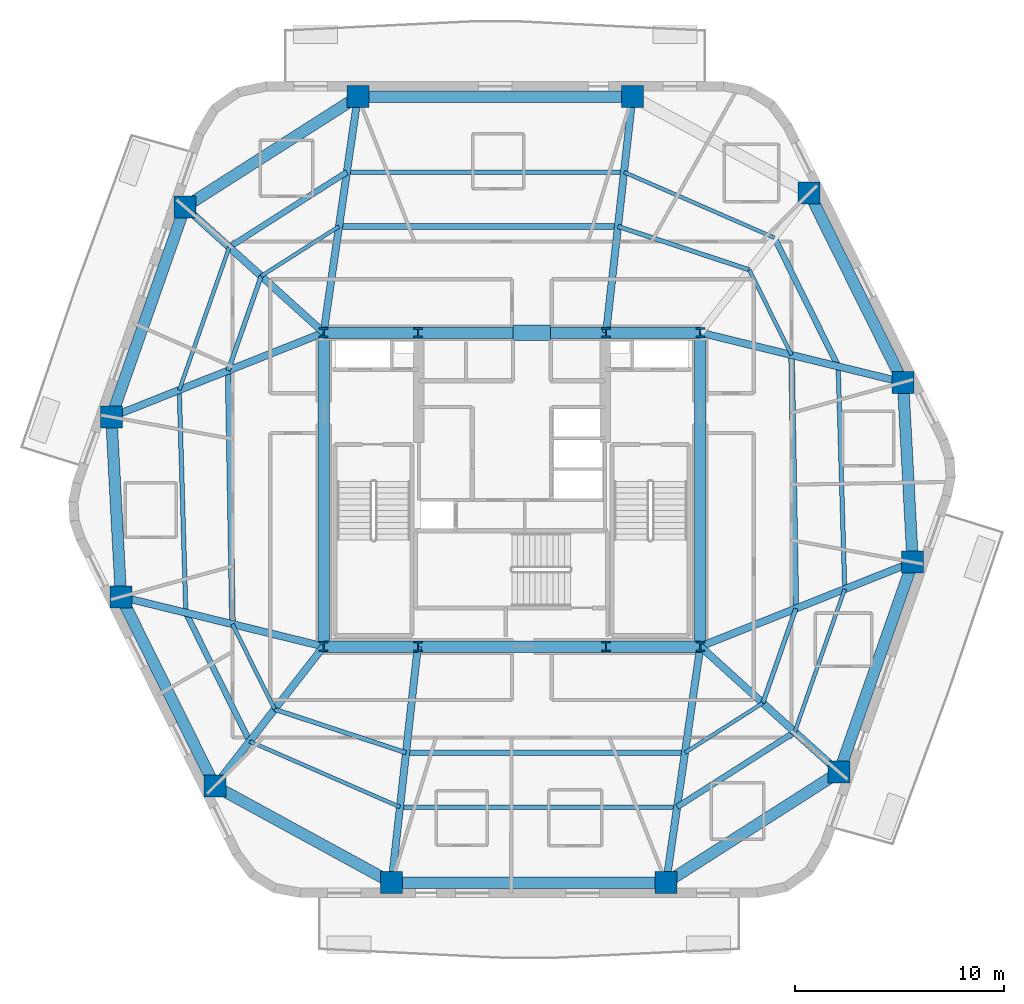
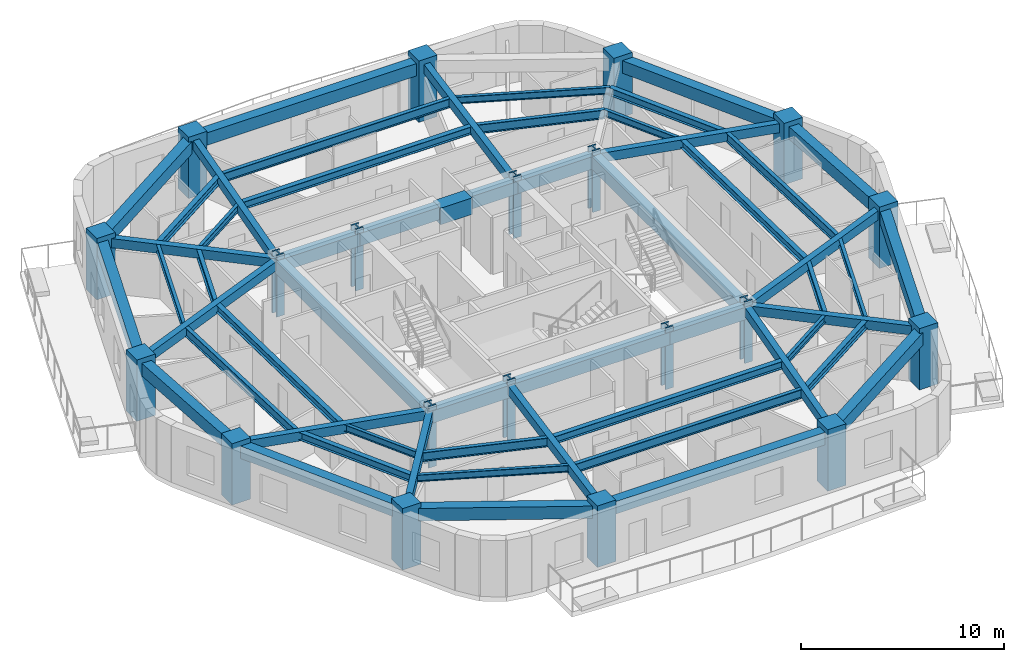
# One storey, part 1 of 11: 55 beams, 20 columns.
"""IFC4 building model written with IfcOpenShell, lengths in metres."""

from ifc_helpers import new_model, si_unit, direction, frame, origin, origin_2d, place, context, subcontext, project, spatial, rectangle, i_section, extrude, material, material_profile, profile_set, type_object, element, save


model = new_model("IFC4")

# Units and contexts
model_context = context("Model", 3, precision=1e-05, world=origin(), true_north=direction((0.0, 1.0)))
body_context = subcontext(model_context, "Body", "Model", "MODEL_VIEW")
ifc_project = project(units=[si_unit("LENGTHUNIT", "METRE"), si_unit("AREAUNIT", "SQUARE_METRE"), si_unit("VOLUMEUNIT", "CUBIC_METRE"), si_unit("PLANEANGLEUNIT", "RADIAN"), si_unit("MASSUNIT", "GRAM", prefix="KILO")], contexts=[model_context])

# Site, building, storey
site_placement = place(None, origin())
site = spatial("IfcSite", under=ifc_project, at=site_placement, CompositionType="ELEMENT")
building_placement = place(site_placement, origin())
building = spatial("IfcBuilding", under=site, at=building_placement, Name="Kilnhurst Terrace Hotel", CompositionType="ELEMENT")
storey_placement = place(building_placement, frame((0.0, 0.0, 194.10009765625)))
storey = spatial("IfcBuildingStorey", under=building, at=storey_placement, Name="L48", CompositionType="ELEMENT", Elevation=194.10009765625)

# Columns
ifc_material_1 = material(Name="Concrete C80/95", Category="concrete")
ifc_material_profile_1 = material_profile(ifc_material_1, rectangle(XDim=1.050048828125, YDim=1.050048828125, at=origin_2d()), Name="RC1050X1050")
ifc_profile_set_1 = profile_set([ifc_material_profile_1], Name="Concrete C80/95")
column_type_1 = type_object("IfcColumnType", Name="COL-RC-1050", PredefinedType="COLUMN", material=ifc_profile_set_1)
for number, where, z_axis, x_axis, name in (
    (1, (-5.7548828125, -18.780029296875, 0.0), (0.0, 0.0, 1.0), (1.0, 0.0, 0.0), "L48 Structural Column PC-F11"),
    (2, (7.368896484375, -18.780029296875, 0.0), (0.0, 0.0, 1.0), (1.0, 0.0, 0.0), "L48 Structural Column PC-F12"),
    (3, (15.633056640625, -13.5048828125, 0.0), (0.0, 0.0, 1.0), (1.0, 0.0, 0.0), "L48 Structural Column PC-F21"),
    (4, (19.14794921875, -3.467041015625, 0.0), (0.0, 0.0, 1.0), (1.0, 0.0, 0.0), "L48 Structural Column PC-F22"),
    (5, (18.68701171875, 5.1240234375, 0.0), (0.0, 0.0, 1.0), (1.0, 0.0, 0.0), "L48 Structural Column PC-F31"),
    (6, (14.2041015625, 14.166015625, 0.0), (0.0, 0.0, 1.0), (1.0, 0.0, 0.0), "L48 Structural Column PC-F32"),
    (7, (5.7548828125, 18.780029296875, 0.0), (0.0, 0.0, 1.0), (1.0, 0.0, 0.0), "L48 Structural Column PC-F41"),
    (8, (-7.368896484375, 18.780029296875, 0.0), (0.0, 0.0, 1.0), (1.0, 0.0, 0.0), "L48 Structural Column PC-F42"),
    (9, (-15.633056640625, 13.5048828125, 0.0), (0.0, 0.0, 1.0), (1.0, 0.0, 0.0), "L48 Structural Column PC-F51"),
    (10, (-19.14794921875, 3.467041015625, 0.0), (0.0, 0.0, 1.0), (1.0, 0.0, 0.0), "L48 Structural Column PC-F52"),
    (11, (-18.68701171875, -5.1240234375, 0.0), (0.0, 0.0, 1.0), (1.0, 0.0, 0.0), "L48 Structural Column PC-F61"),
    (12, (-14.2041015625, -14.166015625, 0.0), (0.0, 0.0, 1.0), (1.0, 0.0, 0.0), "L48 Structural Column PC-F62"),
):
    element("IfcColumn", number, at=place(storey_placement, frame(where, z_axis=z_axis, x_axis=x_axis)), inside=storey, type_object=column_type_1, Name=name, PredefinedType="COLUMN", context=body_context, shape_type="SweptSolid", body=[
        extrude(rectangle(XDim=1.050048828125, YDim=1.050048828125, at=origin_2d()), origin(), (0.0, 0.0, 1.0), 3.699951171875),
    ])
ifc_material_2 = material(Name="Steel ASTM A992 Grade 50", Category="steel")
ifc_material_profile_2 = material_profile(ifc_material_2, i_section(OverallWidth=0.43212890625, OverallDepth=0.497802734375, WebThickness=0.0556640625, FlangeThickness=0.0888671875, at=origin_2d()), Name="W14X500")
ifc_profile_set_2 = profile_set([ifc_material_profile_2], Name="Steel ASTM A992 Grade 50")
column_type_2 = type_object("IfcColumnType", Name="COL-STL-W14X500", PredefinedType="COLUMN", material=ifc_profile_set_2)
for number, where, z_axis, x_axis, name in (
    (13, (-9.0, -7.5, 0.0), (0.0, 0.0, 1.0), (1.0, 0.0, 0.0), "L48 Structural Column CC-SW"),
    (14, (-4.5, -7.5, 0.0), (0.0, 0.0, 1.0), (1.0, 0.0, 0.0), "L48 Structural Column CC-SC1"),
    (15, (4.5, -7.5, 0.0), (0.0, 0.0, 1.0), (1.0, 0.0, 0.0), "L48 Structural Column CC-SC2"),
    (16, (9.0, -7.5, 0.0), (0.0, 0.0, 1.0), (1.0, 0.0, 0.0), "L48 Structural Column CC-SE"),
    (17, (9.0, 7.5, 0.0), (0.0, 0.0, 1.0), (1.0, 0.0, 0.0), "L48 Structural Column CC-NE"),
    (18, (4.5, 7.5, 0.0), (0.0, 0.0, 1.0), (1.0, 0.0, 0.0), "L48 Structural Column CC-NC2"),
    (19, (-4.5, 7.5, 0.0), (0.0, 0.0, 1.0), (1.0, 0.0, 0.0), "L48 Structural Column CC-NC1"),
    (20, (-9.0, 7.5, 0.0), (0.0, 0.0, 1.0), (1.0, 0.0, 0.0), "L48 Structural Column CC-NW"),
):
    element("IfcColumn", number, at=place(storey_placement, frame(where, z_axis=z_axis, x_axis=x_axis)), inside=storey, type_object=column_type_2, Name=name, PredefinedType="COLUMN", context=body_context, shape_type="SweptSolid", body=[
        extrude(i_section(OverallWidth=0.43212890625, OverallDepth=0.497802734375, WebThickness=0.0556640625, FlangeThickness=0.0888671875, at=origin_2d()), origin(), (0.0, 0.0, 1.0), 3.699951171875),
    ])

# Beams
ifc_material_3 = material(Name="Concrete C50/60", Category="concrete")
ifc_material_profile_3 = material_profile(ifc_material_3, rectangle(XDim=0.35009765625, YDim=0.550048828125, at=origin_2d()), Name="RC350X550")
ifc_profile_set_3 = profile_set([ifc_material_profile_3], Name="Concrete C50/60")
beam_type_1 = type_object("IfcBeamType", Name="BM-RAD-350X550", PredefinedType="BEAM", material=ifc_profile_set_3)
beam_1_placement = place(storey_placement, frame((-4.5, -7.5, 3.125), z_axis=(-0.110566099441, -0.993868772854, 0.0), x_axis=(0.993868772854, -0.110566099441, 0.0)))
element("IfcBeam", 21, at=beam_1_placement, inside=storey, type_object=beam_type_1, Name="L48 Radial Floor Beam 1", PredefinedType="BEAM", context=body_context, shape_type="SweptSolid", body=[
    extrude(rectangle(XDim=0.35009765625, YDim=0.550048828125, at=origin_2d()), origin(), (0.0, 0.0, 1.0), 11.349609375),
])
beam_2_placement = place(storey_placement, frame((9.0, -7.5, 3.125), z_axis=(-0.143112538238, -0.989706421824, 0.0), x_axis=(0.989706421824, -0.143112538238, 0.0)))
element("IfcBeam", 22, at=beam_2_placement, inside=storey, type_object=beam_type_1, Name="L48 Radial Floor Beam 2", PredefinedType="BEAM", context=body_context, shape_type="SweptSolid", body=[
    extrude(rectangle(XDim=0.35009765625, YDim=0.550048828125, at=origin_2d()), origin(), (0.0, 0.0, 1.0), 11.3974609375),
])
beam_3_placement = place(storey_placement, frame((9.0, -7.5, 3.125), z_axis=(0.741338585645, -0.671131210296, 0.0), x_axis=(0.671131210296, 0.741338585645, 0.0)))
element("IfcBeam", 23, at=beam_3_placement, inside=storey, type_object=beam_type_1, Name="L48 Radial Floor Beam 3", PredefinedType="BEAM", context=body_context, shape_type="SweptSolid", body=[
    extrude(rectangle(XDim=0.35009765625, YDim=0.550048828125, at=origin_2d()), origin(), (0.0, 0.0, 1.0), 8.947509765625),
])
beam_4_placement = place(storey_placement, frame((9.0, -7.5, 3.125), z_axis=(0.929302373458, 0.369319778356, 0.0), x_axis=(-0.369319778356, 0.929302373458, 0.0)))
element("IfcBeam", 24, at=beam_4_placement, inside=storey, type_object=beam_type_1, Name="L48 Radial Floor Beam 4", PredefinedType="BEAM", context=body_context, shape_type="SweptSolid", body=[
    extrude(rectangle(XDim=0.35009765625, YDim=0.550048828125, at=origin_2d()), origin(), (0.0, 0.0, 1.0), 10.919921875),
])
beam_5_placement = place(storey_placement, frame((9.0, 7.5, 3.125), z_axis=(0.971212767405, -0.238213686486, 0.0), x_axis=(0.238213686486, 0.971212767405, 0.0)))
element("IfcBeam", 25, at=beam_5_placement, inside=storey, type_object=beam_type_1, Name="L48 Radial Floor Beam 5", PredefinedType="BEAM", context=body_context, shape_type="SweptSolid", body=[
    extrude(rectangle(XDim=0.35009765625, YDim=0.550048828125, at=origin_2d()), origin(), (0.0, 0.0, 1.0), 9.97412109375),
])
beam_6_placement = place(storey_placement, frame((4.5, 7.5, 3.125), z_axis=(0.110566099441, 0.993868772854, 0.0), x_axis=(-0.993868772854, 0.110566099441, 0.0)))
element("IfcBeam", 26, at=beam_6_placement, inside=storey, type_object=beam_type_1, Name="L48 Radial Floor Beam 7", PredefinedType="BEAM", context=body_context, shape_type="SweptSolid", body=[
    extrude(rectangle(XDim=0.35009765625, YDim=0.550048828125, at=origin_2d()), origin(), (0.0, 0.0, 1.0), 11.349609375),
])
beam_7_placement = place(storey_placement, frame((-9.0, 7.5, 3.125), z_axis=(0.143112538238, 0.989706421824, 0.0), x_axis=(-0.989706421824, 0.143112538238, 0.0)))
element("IfcBeam", 27, at=beam_7_placement, inside=storey, type_object=beam_type_1, Name="L48 Radial Floor Beam 8", PredefinedType="BEAM", context=body_context, shape_type="SweptSolid", body=[
    extrude(rectangle(XDim=0.35009765625, YDim=0.550048828125, at=origin_2d()), origin(), (0.0, 0.0, 1.0), 11.3974609375),
])
beam_8_placement = place(storey_placement, frame((-9.0, 7.5, 3.125), z_axis=(-0.741338585645, 0.671131210296, 0.0), x_axis=(-0.671131210296, -0.741338585645, 0.0)))
element("IfcBeam", 28, at=beam_8_placement, inside=storey, type_object=beam_type_1, Name="L48 Radial Floor Beam 9", PredefinedType="BEAM", context=body_context, shape_type="SweptSolid", body=[
    extrude(rectangle(XDim=0.35009765625, YDim=0.550048828125, at=origin_2d()), origin(), (0.0, 0.0, 1.0), 8.947509765625),
])
beam_9_placement = place(storey_placement, frame((-9.0, 7.5, 3.125), z_axis=(-0.929302373458, -0.369319778356, 0.0), x_axis=(0.369319778356, -0.929302373458, 0.0)))
element("IfcBeam", 29, at=beam_9_placement, inside=storey, type_object=beam_type_1, Name="L48 Radial Floor Beam 10", PredefinedType="BEAM", context=body_context, shape_type="SweptSolid", body=[
    extrude(rectangle(XDim=0.35009765625, YDim=0.550048828125, at=origin_2d()), origin(), (0.0, 0.0, 1.0), 10.919921875),
])
beam_10_placement = place(storey_placement, frame((-9.0, -7.5, 3.125), z_axis=(-0.971212767405, 0.238213686486, 0.0), x_axis=(-0.238213686486, -0.971212767405, 0.0)))
element("IfcBeam", 30, at=beam_10_placement, inside=storey, type_object=beam_type_1, Name="L48 Radial Floor Beam 11", PredefinedType="BEAM", context=body_context, shape_type="SweptSolid", body=[
    extrude(rectangle(XDim=0.35009765625, YDim=0.550048828125, at=origin_2d()), origin(), (0.0, 0.0, 1.0), 9.97412109375),
])
beam_11_placement = place(storey_placement, frame((-9.0, -7.5, 3.125), z_axis=(-0.615370616457, -0.78823791104, 0.0), x_axis=(0.78823791104, -0.615370616457, 0.0)))
element("IfcBeam", 31, at=beam_11_placement, inside=storey, type_object=beam_type_1, Name="L48 Radial Floor Beam 12", PredefinedType="BEAM", context=body_context, shape_type="SweptSolid", body=[
    extrude(rectangle(XDim=0.35009765625, YDim=0.550048828125, at=origin_2d()), origin(), (0.0, 0.0, 1.0), 8.456787109375),
])
ifc_material_profile_4 = material_profile(ifc_material_3, rectangle(XDim=0.550048828125, YDim=0.75, at=origin_2d()), Name="RC550X750")
ifc_profile_set_4 = profile_set([ifc_material_profile_4], Name="Concrete C50/60")
beam_type_2 = type_object("IfcBeamType", Name="BM-SPN-550X750", PredefinedType="SPANDREL", material=ifc_profile_set_4)
beam_12_placement = place(storey_placement, frame((-9.0, 7.5, 3.02490234375), z_axis=(1.0, 0.0, 0.0), x_axis=(0.0, 1.0, 0.0)))
element("IfcBeam", 32, at=beam_12_placement, inside=storey, type_object=beam_type_2, Name="L48 Core Tie Beam CC-NW to CC-NC1", PredefinedType="SPANDREL", context=body_context, shape_type="SweptSolid", body=[
    extrude(rectangle(XDim=0.550048828125, YDim=0.75, at=origin_2d()), origin(), (0.0, 0.0, 1.0), 4.5),
])
beam_13_placement = place(storey_placement, frame((-4.5, 7.5, 3.02490234375), z_axis=(1.0, 0.0, 0.0), x_axis=(0.0, 1.0, 0.0)))
element("IfcBeam", 33, at=beam_13_placement, inside=storey, type_object=beam_type_2, Name="L48 Core Tie Beam CC-NC1 to CC-NC2", PredefinedType="SPANDREL", context=body_context, shape_type="SweptSolid", body=[
    extrude(rectangle(XDim=0.550048828125, YDim=0.75, at=origin_2d()), origin(), (0.0, 0.0, 1.0), 9.0),
])
for number, where, z_axis, x_axis, name in (
    (34, (4.5, 7.5, 3.02490234375), (1.0, 0.0, 0.0), (0.0, 1.0, 0.0), "L48 Core Tie Beam CC-NC2 to CC-NE"),
    (35, (-9.0, -7.5, 3.02490234375), (1.0, 0.0, 0.0), (0.0, 1.0, 0.0), "L48 Core Tie Beam CC-SW to CC-SC1"),
):
    element("IfcBeam", number, at=place(storey_placement, frame(where, z_axis=z_axis, x_axis=x_axis)), inside=storey, type_object=beam_type_2, Name=name, PredefinedType="SPANDREL", context=body_context, shape_type="SweptSolid", body=[
        extrude(rectangle(XDim=0.550048828125, YDim=0.75, at=origin_2d()), origin(), (0.0, 0.0, 1.0), 4.5),
    ])
beam_14_placement = place(storey_placement, frame((-4.5, -7.5, 3.02490234375), z_axis=(1.0, 0.0, 0.0), x_axis=(0.0, 1.0, 0.0)))
element("IfcBeam", 36, at=beam_14_placement, inside=storey, type_object=beam_type_2, Name="L48 Core Tie Beam CC-SC1 to CC-SC2", PredefinedType="SPANDREL", context=body_context, shape_type="SweptSolid", body=[
    extrude(rectangle(XDim=0.550048828125, YDim=0.75, at=origin_2d()), origin(), (0.0, 0.0, 1.0), 9.0),
])
beam_15_placement = place(storey_placement, frame((4.5, -7.5, 3.02490234375), z_axis=(1.0, 0.0, 0.0), x_axis=(0.0, 1.0, 0.0)))
element("IfcBeam", 37, at=beam_15_placement, inside=storey, type_object=beam_type_2, Name="L48 Core Tie Beam CC-SC2 to CC-SE", PredefinedType="SPANDREL", context=body_context, shape_type="SweptSolid", body=[
    extrude(rectangle(XDim=0.550048828125, YDim=0.75, at=origin_2d()), origin(), (0.0, 0.0, 1.0), 4.5),
])
for number, where, z_axis, x_axis, name in (
    (38, (-9.0, -7.5, 3.02490234375), (0.0, 1.0, 0.0), (-1.0, 0.0, 0.0), "L48 Core Tie Beam CC-SW to CC-NW"),
    (39, (9.0, -7.5, 3.02490234375), (0.0, 1.0, 0.0), (-1.0, 0.0, 0.0), "L48 Core Tie Beam CC-SE to CC-NE"),
):
    element("IfcBeam", number, at=place(storey_placement, frame(where, z_axis=z_axis, x_axis=x_axis)), inside=storey, type_object=beam_type_2, Name=name, PredefinedType="SPANDREL", context=body_context, shape_type="SweptSolid", body=[
        extrude(rectangle(XDim=0.550048828125, YDim=0.75, at=origin_2d()), origin(), (0.0, 0.0, 1.0), 15.0),
    ])
beam_16_placement = place(storey_placement, frame((-5.7548828125, -18.780029296875, 3.02490234375), z_axis=(1.0, 0.0, 0.0), x_axis=(0.0, 1.0, 0.0)))
element("IfcBeam", 40, at=beam_16_placement, inside=storey, type_object=beam_type_2, Name="L48 Perimeter Spandrel Beam 1", PredefinedType="SPANDREL", context=body_context, shape_type="SweptSolid", body=[
    extrude(rectangle(XDim=0.550048828125, YDim=0.75, at=origin_2d()), origin(), (0.0, 0.0, 1.0), 13.123779296875),
])
beam_17_placement = place(storey_placement, frame((7.368896484375, -18.780029296875, 3.02490234375), z_axis=(0.842915241256, 0.538046369803, 0.0), x_axis=(-0.538046369803, 0.842915241256, 0.0)))
element("IfcBeam", 41, at=beam_17_placement, inside=storey, type_object=beam_type_2, Name="L48 Perimeter Spandrel Beam 2", PredefinedType="SPANDREL", context=body_context, shape_type="SweptSolid", body=[
    extrude(rectangle(XDim=0.550048828125, YDim=0.75, at=origin_2d()), origin(), (0.0, 0.0, 1.0), 9.80419921875),
])
beam_18_placement = place(storey_placement, frame((15.633056640625, -13.5048828125, 3.02490234375), z_axis=(0.330488460168, 0.943810032632, 0.0), x_axis=(-0.943810032632, 0.330488460168, 0.0)))
element("IfcBeam", 42, at=beam_18_placement, inside=storey, type_object=beam_type_2, Name="L48 Perimeter Spandrel Beam 3", PredefinedType="SPANDREL", context=body_context, shape_type="SweptSolid", body=[
    extrude(rectangle(XDim=0.550048828125, YDim=0.75, at=origin_2d()), origin(), (0.0, 0.0, 1.0), 10.635498046875),
])
beam_19_placement = place(storey_placement, frame((19.14794921875, -3.467041015625, 3.02490234375), z_axis=(-0.053576072051, 0.998563770875, 0.0), x_axis=(-0.998563770875, -0.053576072051, 0.0)))
element("IfcBeam", 43, at=beam_19_placement, inside=storey, type_object=beam_type_2, Name="L48 Perimeter Spandrel Beam 4", PredefinedType="SPANDREL", context=body_context, shape_type="SweptSolid", body=[
    extrude(rectangle(XDim=0.550048828125, YDim=0.75, at=origin_2d()), origin(), (0.0, 0.0, 1.0), 8.603515625),
])
beam_20_placement = place(storey_placement, frame((18.68701171875, 5.1240234375, 3.02490234375), z_axis=(-0.444192032261, 0.895931603682, 0.0), x_axis=(-0.895931603682, -0.444192032261, 0.0)))
element("IfcBeam", 44, at=beam_20_placement, inside=storey, type_object=beam_type_2, Name="L48 Perimeter Spandrel Beam 5", PredefinedType="SPANDREL", context=body_context, shape_type="SweptSolid", body=[
    extrude(rectangle(XDim=0.550048828125, YDim=0.75, at=origin_2d()), origin(), (0.0, 0.0, 1.0), 10.09228515625),
])
beam_21_placement = place(storey_placement, frame((5.7548828125, 18.780029296875, 3.02490234375), z_axis=(-1.0, 0.0, 0.0), x_axis=(0.0, -1.0, 0.0)))
element("IfcBeam", 45, at=beam_21_placement, inside=storey, type_object=beam_type_2, Name="L48 Perimeter Spandrel Beam 7", PredefinedType="SPANDREL", context=body_context, shape_type="SweptSolid", body=[
    extrude(rectangle(XDim=0.550048828125, YDim=0.75, at=origin_2d()), origin(), (0.0, 0.0, 1.0), 13.123779296875),
])
beam_22_placement = place(storey_placement, frame((-7.368896484375, 18.780029296875, 3.02490234375), z_axis=(-0.842915241256, -0.538046369803, 0.0), x_axis=(0.538046369803, -0.842915241256, 0.0)))
element("IfcBeam", 46, at=beam_22_placement, inside=storey, type_object=beam_type_2, Name="L48 Perimeter Spandrel Beam 8", PredefinedType="SPANDREL", context=body_context, shape_type="SweptSolid", body=[
    extrude(rectangle(XDim=0.550048828125, YDim=0.75, at=origin_2d()), origin(), (0.0, 0.0, 1.0), 9.80419921875),
])
beam_23_placement = place(storey_placement, frame((-15.633056640625, 13.5048828125, 3.02490234375), z_axis=(-0.330488460168, -0.943810032632, 0.0), x_axis=(0.943810032632, -0.330488460168, 0.0)))
element("IfcBeam", 47, at=beam_23_placement, inside=storey, type_object=beam_type_2, Name="L48 Perimeter Spandrel Beam 9", PredefinedType="SPANDREL", context=body_context, shape_type="SweptSolid", body=[
    extrude(rectangle(XDim=0.550048828125, YDim=0.75, at=origin_2d()), origin(), (0.0, 0.0, 1.0), 10.635498046875),
])
beam_24_placement = place(storey_placement, frame((-19.14794921875, 3.467041015625, 3.02490234375), z_axis=(0.053576072051, -0.998563770875, 0.0), x_axis=(0.998563770875, 0.053576072051, 0.0)))
element("IfcBeam", 48, at=beam_24_placement, inside=storey, type_object=beam_type_2, Name="L48 Perimeter Spandrel Beam 10", PredefinedType="SPANDREL", context=body_context, shape_type="SweptSolid", body=[
    extrude(rectangle(XDim=0.550048828125, YDim=0.75, at=origin_2d()), origin(), (0.0, 0.0, 1.0), 8.603515625),
])
beam_25_placement = place(storey_placement, frame((-18.68701171875, -5.1240234375, 3.02490234375), z_axis=(0.444192032261, -0.895931603682, 0.0), x_axis=(0.895931603682, 0.444192032261, 0.0)))
element("IfcBeam", 49, at=beam_25_placement, inside=storey, type_object=beam_type_2, Name="L48 Perimeter Spandrel Beam 11", PredefinedType="SPANDREL", context=body_context, shape_type="SweptSolid", body=[
    extrude(rectangle(XDim=0.550048828125, YDim=0.75, at=origin_2d()), origin(), (0.0, 0.0, 1.0), 10.09228515625),
])
beam_26_placement = place(storey_placement, frame((-14.2041015625, -14.166015625, 3.02490234375), z_axis=(0.87766189723, -0.479280287672, 0.0), x_axis=(0.479280287672, 0.87766189723, 0.0)))
element("IfcBeam", 50, at=beam_26_placement, inside=storey, type_object=beam_type_2, Name="L48 Perimeter Spandrel Beam 12", PredefinedType="SPANDREL", context=body_context, shape_type="SweptSolid", body=[
    extrude(rectangle(XDim=0.550048828125, YDim=0.75, at=origin_2d()), origin(), (0.0, 0.0, 1.0), 9.626953125),
])
ifc_material_profile_5 = material_profile(ifc_material_2, i_section(OverallWidth=0.180908203125, OverallDepth=0.417236328125, WebThickness=0.010986328125, FlangeThickness=0.018310546875, at=origin_2d()), Name="W16X57")
ifc_profile_set_5 = profile_set([ifc_material_profile_5], Name="Steel ASTM A992 Grade 50")
beam_type_3 = type_object("IfcBeamType", Name="JST-STL-W16X57", PredefinedType="JOIST", material=ifc_profile_set_5)
beam_27_placement = place(storey_placement, frame((13.510498046875, -11.58349609375, 3.19091796875), z_axis=(0.330481239411, 0.943812561051, 0.0), x_axis=(-0.943812561051, 0.330481239411, 0.0)))
element("IfcBeam", 51, at=beam_27_placement, inside=storey, type_object=beam_type_3, Name="L48 Secondary Floor Steel Joist OUT.3", PredefinedType="JOIST", context=body_context, shape_type="SweptSolid", body=[
    extrude(i_section(OverallWidth=0.180908203125, OverallDepth=0.417236328125, WebThickness=0.010986328125, FlangeThickness=0.018310546875, at=origin_2d()), origin(), (0.0, 0.0, 1.0), 7.232177734375),
])
beam_28_placement = place(storey_placement, frame((12.538818359375, 12.032958984375, 3.19091796875), z_axis=(-0.916443679054, 0.400163695407, 0.0), x_axis=(-0.400163695407, -0.916443679054, 0.0)))
element("IfcBeam", 52, at=beam_28_placement, inside=storey, type_object=beam_type_3, Name="L48 Secondary Floor Steel Joist OUT.6", PredefinedType="JOIST", context=body_context, shape_type="SweptSolid", body=[
    extrude(i_section(OverallWidth=0.180908203125, OverallDepth=0.417236328125, WebThickness=0.010986328125, FlangeThickness=0.018310546875, at=origin_2d()), origin(), (0.0, 0.0, 1.0), 7.84033203125),
])
beam_29_placement = place(storey_placement, frame((-13.510498046875, 11.58349609375, 3.19091796875), z_axis=(-0.330481239411, -0.943812561051, 0.0), x_axis=(0.943812561051, -0.330481239411, 0.0)))
element("IfcBeam", 53, at=beam_29_placement, inside=storey, type_object=beam_type_3, Name="L48 Secondary Floor Steel Joist OUT.9", PredefinedType="JOIST", context=body_context, shape_type="SweptSolid", body=[
    extrude(i_section(OverallWidth=0.180908203125, OverallDepth=0.417236328125, WebThickness=0.010986328125, FlangeThickness=0.018310546875, at=origin_2d()), origin(), (0.0, 0.0, 1.0), 7.232177734375),
])
beam_30_placement = place(storey_placement, frame((-12.538818359375, -12.032958984375, 3.19091796875), z_axis=(0.916443679054, -0.400163695407, 0.0), x_axis=(0.400163695407, 0.916443679054, 0.0)))
element("IfcBeam", 54, at=beam_30_placement, inside=storey, type_object=beam_type_3, Name="L48 Secondary Floor Steel Joist OUT.12", PredefinedType="JOIST", context=body_context, shape_type="SweptSolid", body=[
    extrude(i_section(OverallWidth=0.180908203125, OverallDepth=0.417236328125, WebThickness=0.010986328125, FlangeThickness=0.018310546875, at=origin_2d()), origin(), (0.0, 0.0, 1.0), 7.84033203125),
])
beam_31_placement = place(storey_placement, frame((8.26611328125, -12.575927734375, 3.19091796875), z_axis=(0.842910995806, 0.53805302076, 0.0), x_axis=(-0.53805302076, 0.842910995806, 0.0)))
element("IfcBeam", 55, at=beam_31_placement, inside=storey, type_object=beam_type_3, Name="L48 Secondary Floor Steel Joist IN.2", PredefinedType="JOIST", context=body_context, shape_type="SweptSolid", body=[
    extrude(i_section(OverallWidth=0.180908203125, OverallDepth=0.417236328125, WebThickness=0.010986328125, FlangeThickness=0.018310546875, at=origin_2d()), origin(), (0.0, 0.0, 1.0), 4.411865234375),
])
beam_32_placement = place(storey_placement, frame((13.359130859375, 6.430908203125, 3.19091796875), z_axis=(-0.444200626094, 0.895927342912, 0.0), x_axis=(-0.895927342912, -0.444200626094, 0.0)))
element("IfcBeam", 56, at=beam_32_placement, inside=storey, type_object=beam_type_3, Name="L48 Secondary Floor Steel Joist IN.5", PredefinedType="JOIST", context=body_context, shape_type="SweptSolid", body=[
    extrude(i_section(OverallWidth=0.180908203125, OverallDepth=0.417236328125, WebThickness=0.010986328125, FlangeThickness=0.018310546875, at=origin_2d()), origin(), (0.0, 0.0, 1.0), 4.54150390625),
])
beam_33_placement = place(storey_placement, frame((-8.26611328125, 12.575927734375, 3.19091796875), z_axis=(-0.842910995806, -0.53805302076, 0.0), x_axis=(0.53805302076, -0.842910995806, 0.0)))
element("IfcBeam", 57, at=beam_33_placement, inside=storey, type_object=beam_type_3, Name="L48 Secondary Floor Steel Joist IN.8", PredefinedType="JOIST", context=body_context, shape_type="SweptSolid", body=[
    extrude(i_section(OverallWidth=0.180908203125, OverallDepth=0.417236328125, WebThickness=0.010986328125, FlangeThickness=0.018310546875, at=origin_2d()), origin(), (0.0, 0.0, 1.0), 4.411865234375),
])
beam_34_placement = place(storey_placement, frame((-13.359130859375, -6.430908203125, 3.19091796875), z_axis=(0.444200626094, -0.895927342912, 0.0), x_axis=(0.895927342912, 0.444200626094, 0.0)))
element("IfcBeam", 58, at=beam_34_placement, inside=storey, type_object=beam_type_3, Name="L48 Secondary Floor Steel Joist IN.11", PredefinedType="JOIST", context=body_context, shape_type="SweptSolid", body=[
    extrude(i_section(OverallWidth=0.180908203125, OverallDepth=0.417236328125, WebThickness=0.010986328125, FlangeThickness=0.018310546875, at=origin_2d()), origin(), (0.0, 0.0, 1.0), 4.54150390625),
])
ifc_material_profile_6 = material_profile(ifc_material_2, i_section(OverallWidth=0.279296875, OverallDepth=0.462890625, WebThickness=0.0107421875, FlangeThickness=0.017333984375, at=origin_2d()), Name="W18X76")
ifc_profile_set_6 = profile_set([ifc_material_profile_6], Name="Steel ASTM A992 Grade 50")
beam_type_4 = type_object("IfcBeamType", Name="JST-STL-W18X76", PredefinedType="JOIST", material=ifc_profile_set_6)
beam_35_placement = place(storey_placement, frame((7.890869140625, -15.17041015625, 3.16796875), z_axis=(0.842927863369, 0.538026595213, 0.0), x_axis=(-0.538026595213, 0.842927863369, 0.0)))
element("IfcBeam", 59, at=beam_35_placement, inside=storey, type_object=beam_type_4, Name="L48 Secondary Floor Steel Joist OUT.2", PredefinedType="JOIST", context=body_context, shape_type="SweptSolid", body=[
    extrude(i_section(OverallWidth=0.279296875, OverallDepth=0.462890625, WebThickness=0.0107421875, FlangeThickness=0.017333984375, at=origin_2d()), origin(), (0.0, 0.0, 1.0), 6.666748046875),
])
beam_36_placement = place(storey_placement, frame((15.587158203125, 5.88427734375, 3.16796875), z_axis=(-0.444180101574, 0.895937518673, 0.0), x_axis=(-0.895937518673, -0.444180101574, 0.0)))
element("IfcBeam", 60, at=beam_36_placement, inside=storey, type_object=beam_type_4, Name="L48 Secondary Floor Steel Joist OUT.5", PredefinedType="JOIST", context=body_context, shape_type="SweptSolid", body=[
    extrude(i_section(OverallWidth=0.279296875, OverallDepth=0.462890625, WebThickness=0.0107421875, FlangeThickness=0.017333984375, at=origin_2d()), origin(), (0.0, 0.0, 1.0), 6.86279296875),
])
beam_37_placement = place(storey_placement, frame((-7.890869140625, 15.17041015625, 3.16796875), z_axis=(-0.842927863369, -0.538026595213, 0.0), x_axis=(0.538026595213, -0.842927863369, 0.0)))
element("IfcBeam", 61, at=beam_37_placement, inside=storey, type_object=beam_type_4, Name="L48 Secondary Floor Steel Joist OUT.8", PredefinedType="JOIST", context=body_context, shape_type="SweptSolid", body=[
    extrude(i_section(OverallWidth=0.279296875, OverallDepth=0.462890625, WebThickness=0.0107421875, FlangeThickness=0.017333984375, at=origin_2d()), origin(), (0.0, 0.0, 1.0), 6.666748046875),
])
beam_38_placement = place(storey_placement, frame((-15.587158203125, -5.88427734375, 3.16796875), z_axis=(0.444180101574, -0.895937518673, 0.0), x_axis=(0.895937518673, 0.444180101574, 0.0)))
element("IfcBeam", 62, at=beam_38_placement, inside=storey, type_object=beam_type_4, Name="L48 Secondary Floor Steel Joist OUT.11", PredefinedType="JOIST", context=body_context, shape_type="SweptSolid", body=[
    extrude(i_section(OverallWidth=0.279296875, OverallDepth=0.462890625, WebThickness=0.0107421875, FlangeThickness=0.017333984375, at=origin_2d()), origin(), (0.0, 0.0, 1.0), 6.86279296875),
])
beam_39_placement = place(storey_placement, frame((-5.064697265625, -12.575927734375, 3.16796875), z_axis=(1.0, 0.0, 0.0), x_axis=(0.0, 1.0, 0.0)))
element("IfcBeam", 63, at=beam_39_placement, inside=storey, type_object=beam_type_4, Name="L48 Secondary Floor Steel Joist IN.1", PredefinedType="JOIST", context=body_context, shape_type="SweptSolid", body=[
    extrude(i_section(OverallWidth=0.279296875, OverallDepth=0.462890625, WebThickness=0.0107421875, FlangeThickness=0.017333984375, at=origin_2d()), origin(), (0.0, 0.0, 1.0), 13.330810546875),
])
beam_40_placement = place(storey_placement, frame((13.566650390625, -5.685302734375, 3.16796875), z_axis=(-0.017124916462, 0.999853357866, 0.0), x_axis=(-0.999853357866, -0.017124916462, 0.0)))
element("IfcBeam", 64, at=beam_40_placement, inside=storey, type_object=beam_type_4, Name="L48 Secondary Floor Steel Joist IN.4", PredefinedType="JOIST", context=body_context, shape_type="SweptSolid", body=[
    extrude(i_section(OverallWidth=0.279296875, OverallDepth=0.462890625, WebThickness=0.0107421875, FlangeThickness=0.017333984375, at=origin_2d()), origin(), (0.0, 0.0, 1.0), 12.117919921875),
])
beam_41_placement = place(storey_placement, frame((5.064697265625, 12.575927734375, 3.16796875), z_axis=(-1.0, 0.0, 0.0), x_axis=(0.0, -1.0, 0.0)))
element("IfcBeam", 65, at=beam_41_placement, inside=storey, type_object=beam_type_4, Name="L48 Secondary Floor Steel Joist IN.7", PredefinedType="JOIST", context=body_context, shape_type="SweptSolid", body=[
    extrude(i_section(OverallWidth=0.279296875, OverallDepth=0.462890625, WebThickness=0.0107421875, FlangeThickness=0.017333984375, at=origin_2d()), origin(), (0.0, 0.0, 1.0), 13.330810546875),
])
beam_42_placement = place(storey_placement, frame((-13.566650390625, 5.685302734375, 3.16796875), z_axis=(0.017124916462, -0.999853357866, 0.0), x_axis=(0.999853357866, 0.017124916462, 0.0)))
element("IfcBeam", 66, at=beam_42_placement, inside=storey, type_object=beam_type_4, Name="L48 Secondary Floor Steel Joist IN.10", PredefinedType="JOIST", context=body_context, shape_type="SweptSolid", body=[
    extrude(i_section(OverallWidth=0.279296875, OverallDepth=0.462890625, WebThickness=0.0107421875, FlangeThickness=0.017333984375, at=origin_2d()), origin(), (0.0, 0.0, 1.0), 12.117919921875),
])
ifc_material_profile_7 = material_profile(ifc_material_2, i_section(OverallWidth=0.2138671875, OverallDepth=0.549072265625, WebThickness=0.0146484375, FlangeThickness=0.023681640625, at=origin_2d()), Name="W21X93")
ifc_profile_set_7 = profile_set([ifc_material_profile_7], Name="Steel ASTM A992 Grade 50")
beam_type_5 = type_object("IfcBeamType", Name="JST-STL-W21X93", PredefinedType="JOIST", material=ifc_profile_set_7)
beam_43_placement = place(storey_placement, frame((-5.353515625, -15.17041015625, 3.125), z_axis=(1.0, 0.0, 0.0), x_axis=(0.0, 1.0, 0.0)))
element("IfcBeam", 67, at=beam_43_placement, inside=storey, type_object=beam_type_5, Name="L48 Secondary Floor Steel Joist OUT.1", PredefinedType="JOIST", context=body_context, shape_type="SweptSolid", body=[
    extrude(i_section(OverallWidth=0.2138671875, OverallDepth=0.549072265625, WebThickness=0.0146484375, FlangeThickness=0.023681640625, at=origin_2d()), origin(), (0.0, 0.0, 1.0), 13.244384765625),
])
beam_44_placement = place(storey_placement, frame((15.900634765625, -4.757568359375, 3.125), z_axis=(-0.029444201298, 0.999566425512, 0.0), x_axis=(-0.999566425512, -0.029444201298, 0.0)))
element("IfcBeam", 68, at=beam_44_placement, inside=storey, type_object=beam_type_5, Name="L48 Secondary Floor Steel Joist OUT.4", PredefinedType="JOIST", context=body_context, shape_type="SweptSolid", body=[
    extrude(i_section(OverallWidth=0.2138671875, OverallDepth=0.549072265625, WebThickness=0.0146484375, FlangeThickness=0.023681640625, at=origin_2d()), origin(), (0.0, 0.0, 1.0), 10.646484375),
])
beam_45_placement = place(storey_placement, frame((5.353515625, 15.17041015625, 3.125), z_axis=(-1.0, 0.0, 0.0), x_axis=(0.0, -1.0, 0.0)))
element("IfcBeam", 69, at=beam_45_placement, inside=storey, type_object=beam_type_5, Name="L48 Secondary Floor Steel Joist OUT.7", PredefinedType="JOIST", context=body_context, shape_type="SweptSolid", body=[
    extrude(i_section(OverallWidth=0.2138671875, OverallDepth=0.549072265625, WebThickness=0.0146484375, FlangeThickness=0.023681640625, at=origin_2d()), origin(), (0.0, 0.0, 1.0), 13.244384765625),
])
beam_46_placement = place(storey_placement, frame((-15.900634765625, 4.757568359375, 3.125), z_axis=(0.029444201298, -0.999566425512, 0.0), x_axis=(0.999566425512, 0.029444201298, 0.0)))
element("IfcBeam", 70, at=beam_46_placement, inside=storey, type_object=beam_type_5, Name="L48 Secondary Floor Steel Joist OUT.10", PredefinedType="JOIST", context=body_context, shape_type="SweptSolid", body=[
    extrude(i_section(OverallWidth=0.2138671875, OverallDepth=0.549072265625, WebThickness=0.0146484375, FlangeThickness=0.023681640625, at=origin_2d()), origin(), (0.0, 0.0, 1.0), 10.646484375),
])
beam_47_placement = place(storey_placement, frame((11.98486328125, -10.2021484375, 3.125), z_axis=(0.330516298629, 0.943800284139, 0.0), x_axis=(-0.943800284139, 0.330516298629, 0.0)))
element("IfcBeam", 71, at=beam_47_placement, inside=storey, type_object=beam_type_5, Name="L48 Secondary Floor Steel Joist IN.3", PredefinedType="JOIST", context=body_context, shape_type="SweptSolid", body=[
    extrude(i_section(OverallWidth=0.2138671875, OverallDepth=0.549072265625, WebThickness=0.0146484375, FlangeThickness=0.023681640625, at=origin_2d()), origin(), (0.0, 0.0, 1.0), 4.785888671875),
])
beam_48_placement = place(storey_placement, frame((11.341796875, 10.499755859375, 3.125), z_axis=(-0.949415572736, 0.314022404051, 0.0), x_axis=(-0.314022404051, -0.949415572736, 0.0)))
element("IfcBeam", 72, at=beam_48_placement, inside=storey, type_object=beam_type_5, Name="L48 Secondary Floor Steel Joist IN.6", PredefinedType="JOIST", context=body_context, shape_type="SweptSolid", body=[
    extrude(i_section(OverallWidth=0.2138671875, OverallDepth=0.549072265625, WebThickness=0.0146484375, FlangeThickness=0.023681640625, at=origin_2d()), origin(), (0.0, 0.0, 1.0), 6.611572265625),
])
beam_49_placement = place(storey_placement, frame((-11.98486328125, 10.2021484375, 3.125), z_axis=(-0.330516298629, -0.943800284139, 0.0), x_axis=(0.943800284139, -0.330516298629, 0.0)))
element("IfcBeam", 73, at=beam_49_placement, inside=storey, type_object=beam_type_5, Name="L48 Secondary Floor Steel Joist IN.9", PredefinedType="JOIST", context=body_context, shape_type="SweptSolid", body=[
    extrude(i_section(OverallWidth=0.2138671875, OverallDepth=0.549072265625, WebThickness=0.0146484375, FlangeThickness=0.023681640625, at=origin_2d()), origin(), (0.0, 0.0, 1.0), 4.785888671875),
])
beam_50_placement = place(storey_placement, frame((-11.341796875, -10.499755859375, 3.125), z_axis=(0.949415572736, -0.314022404051, 0.0), x_axis=(0.314022404051, 0.949415572736, 0.0)))
element("IfcBeam", 74, at=beam_50_placement, inside=storey, type_object=beam_type_5, Name="L48 Secondary Floor Steel Joist IN.12", PredefinedType="JOIST", context=body_context, shape_type="SweptSolid", body=[
    extrude(i_section(OverallWidth=0.2138671875, OverallDepth=0.549072265625, WebThickness=0.0146484375, FlangeThickness=0.023681640625, at=origin_2d()), origin(), (0.0, 0.0, 1.0), 6.611572265625),
])
ifc_material_4 = material(Name="Concrete C60/75", Category="concrete")
ifc_material_profile_8 = material_profile(ifc_material_4, rectangle(XDim=0.75, YDim=1.0, at=origin_2d()), Name="RC750X1000")
ifc_profile_set_8 = profile_set([ifc_material_profile_8], Name="Concrete C60/75")
beam_type_6 = type_object("IfcBeamType", Name="LNT-CB-750X1000", PredefinedType="LINTEL", material=ifc_profile_set_8)
beam_51_placement = place(storey_placement, frame((0.050048828125, 7.5, 2.89990234375), z_axis=(1.0, 0.0, 0.0), x_axis=(0.0, 1.0, 0.0)))
element("IfcBeam", 75, at=beam_51_placement, inside=storey, type_object=beam_type_6, Name="L48 North Core Coupling Link Beam", PredefinedType="LINTEL", context=body_context, shape_type="SweptSolid", body=[
    extrude(rectangle(XDim=0.75, YDim=1.0, at=origin_2d()), origin(), (0.0, 0.0, 1.0), 1.800048828125),
])

save(model, "model.ifc")
